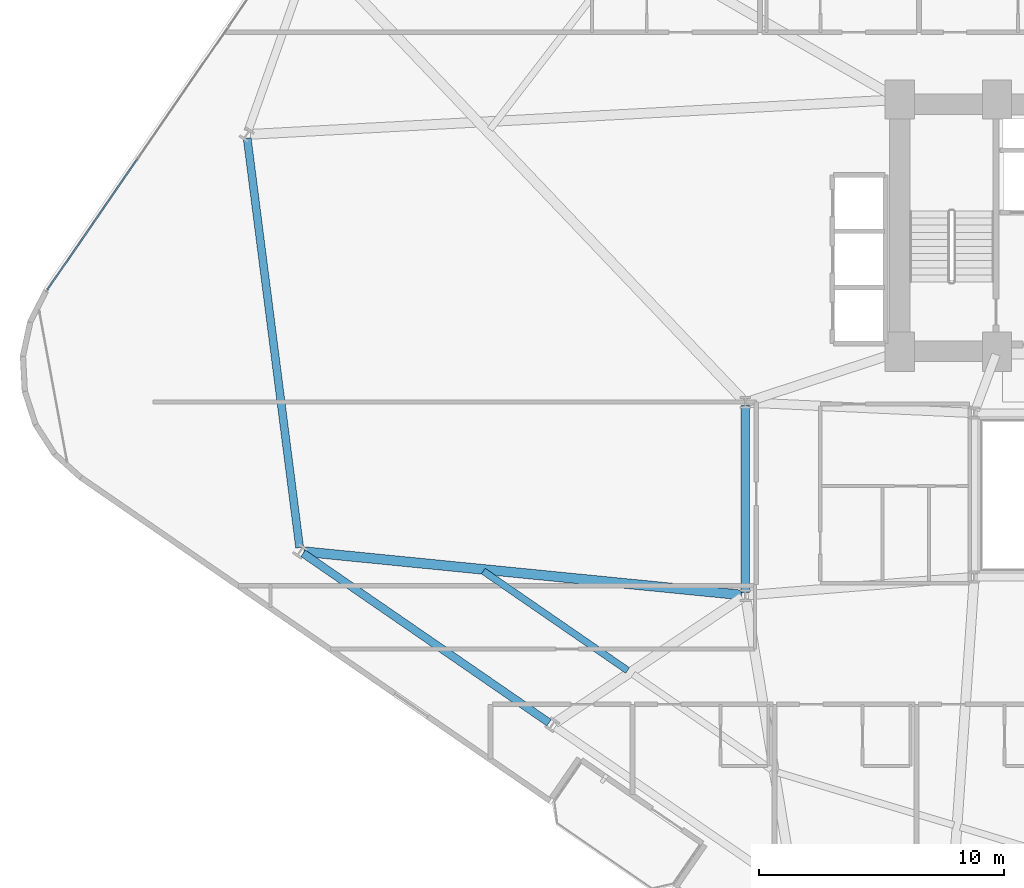
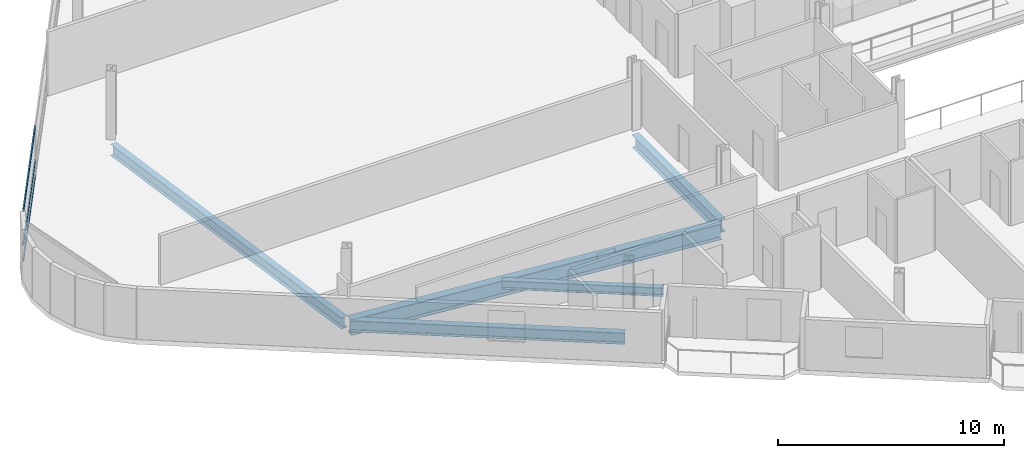
# One storey, part 5 of 27: 5 beams, 3 members, 1 element without a shape of its own.
"""IFC4 building model written with IfcOpenShell, lengths in metres."""

from ifc_helpers import new_model, si_unit, direction, frame, origin, origin_2d, place, context, subcontext, project, spatial, hollow_rectangle, i_section, extrude, material, layer, layer_set, material_profile, profile_set, type_object, element, aggregate, save


model = new_model("IFC4")

# Units and contexts
model_context = context("Model", 3, precision=1e-05, world=origin(), true_north=direction((0.0, 1.0)))
body_context = subcontext(model_context, "Body", "Model", "MODEL_VIEW")
ifc_project = project(units=[si_unit("LENGTHUNIT", "METRE"), si_unit("AREAUNIT", "SQUARE_METRE"), si_unit("VOLUMEUNIT", "CUBIC_METRE"), si_unit("PLANEANGLEUNIT", "RADIAN"), si_unit("MASSUNIT", "GRAM", prefix="KILO")], contexts=[model_context])

# Site, building, storey
site_placement = place(None, origin())
site = spatial("IfcSite", under=ifc_project, at=site_placement, CompositionType="ELEMENT")
building_placement = place(site_placement, origin())
building = spatial("IfcBuilding", under=site, at=building_placement, Name="Varnelok Gate Tower", CompositionType="ELEMENT")
storey_placement = place(building_placement, frame((0.0, 0.0, 60.300048828125)))
storey = spatial("IfcBuildingStorey", under=building, at=storey_placement, Name="L14", CompositionType="ELEMENT", Elevation=60.300048828125)

# Beams
ifc_material_1 = material(Name="Structural Steel ASTM A992 Grade 50", Category="steel")
ifc_material_profile_1 = material_profile(ifc_material_1, i_section(OverallWidth=0.280029296875, OverallDepth=0.462890625, WebThickness=0.0107421875, FlangeThickness=0.017333984375, FilletRadius=0.014892578125, at=origin_2d()), Name="W18X76")
ifc_profile_set_1 = profile_set([ifc_material_profile_1], Name="Structural Steel ASTM A992 Grade 50")
beam_type_1 = type_object("IfcBeamType", Name="BM-JST-W18X76", PredefinedType="JOIST", material=ifc_profile_set_1)
beam_1_placement = place(storey_placement, frame((13.69482421875, 19.793212890625, -0.4814453125), z_axis=(0.823532034116, -0.567269767205, 0.0), x_axis=(0.567269767205, 0.823532034116, 0.0)))
element("IfcBeam", 1, at=beam_1_placement, inside=storey, type_object=beam_type_1, Name="L14 Sector Floor Joist 1", PredefinedType="JOIST", context=body_context, shape_type="SweptSolid", body=[
    extrude(i_section(OverallWidth=0.280029296875, OverallDepth=0.462890625, WebThickness=0.0107421875, FlangeThickness=0.017333984375, FilletRadius=0.014892578125, at=origin_2d()), origin(), (0.0, 0.0, 1.0), 7.15771484375),
])
ifc_material_profile_2 = material_profile(ifc_material_1, i_section(OverallWidth=0.35498046875, OverallDepth=0.696044921875, WebThickness=0.015380859375, FlangeThickness=0.02490234375, FilletRadius=0.02001953125, at=origin_2d()), Name="W27X146")
ifc_profile_set_2 = profile_set([ifc_material_profile_2], Name="Structural Steel ASTM A992 Grade 50")
beam_type_2 = type_object("IfcBeamType", Name="BM-PRI-W27X146", PredefinedType="BEAM", material=ifc_profile_set_2)
beam_2_placement = place(storey_placement, frame((24.39990234375, 18.919921875, -0.59814453125), z_axis=(0.0, 1.0, 0.0), x_axis=(-1.0, 0.0, 0.0)))
element("IfcBeam", 2, at=beam_2_placement, inside=storey, type_object=beam_type_2, Name="L14 Core-Atrium Spine Beam 16", PredefinedType="BEAM", context=body_context, shape_type="SweptSolid", body=[
    extrude(i_section(OverallWidth=0.35498046875, OverallDepth=0.696044921875, WebThickness=0.015380859375, FlangeThickness=0.02490234375, FilletRadius=0.02001953125, at=origin_2d()), origin(), (0.0, 0.0, 1.0), 7.64013671875),
])
ifc_material_profile_3 = material_profile(ifc_material_1, i_section(OverallWidth=0.39892578125, OverallDepth=0.85498046875, WebThickness=0.018310546875, FlangeThickness=0.029296875, FilletRadius=0.02392578125, at=origin_2d()), Name="W33X201")
ifc_profile_set_3 = profile_set([ifc_material_profile_3], Name="Structural Steel ASTM A992 Grade 50")
beam_type_3 = type_object("IfcBeamType", Name="BM-PRI-W33X201", PredefinedType="BEAM", material=ifc_profile_set_3)
beam_3_placement = place(storey_placement, frame((24.250732421875, 18.814697265625, -0.677490234375), z_axis=(-0.995122218733, 0.098649732815, 0.0), x_axis=(-0.098649732815, -0.995122218733, 0.0)))
element("IfcBeam", 3, at=beam_3_placement, inside=storey, type_object=beam_type_3, Name="L14 Radial Floor Girder 1", PredefinedType="BEAM", context=body_context, shape_type="SweptSolid", body=[
    extrude(i_section(OverallWidth=0.39892578125, OverallDepth=0.85498046875, WebThickness=0.018310546875, FlangeThickness=0.029296875, FilletRadius=0.02392578125, at=origin_2d()), origin(), (0.0, 0.0, 1.0), 17.974609375),
])
ifc_material_profile_4 = material_profile(ifc_material_1, i_section(OverallWidth=0.323974609375, OverallDepth=0.611083984375, WebThickness=0.0126953125, FlangeThickness=0.01904296875, FilletRadius=0.01806640625, at=origin_2d()), Name="W24X104")
ifc_profile_set_4 = profile_set([ifc_material_profile_4], Name="Structural Steel ASTM A992 Grade 50")
beam_type_4 = type_object("IfcBeamType", Name="BM-SPN-W24X104", PredefinedType="SPANDREL", material=ifc_profile_set_4)
beam_4_placement = place(storey_placement, frame((6.337890625, 20.517578125, -0.5556640625), z_axis=(0.823540632156, -0.567257284826, 0.0), x_axis=(0.567257284826, 0.823540632156, 0.0)))
element("IfcBeam", 4, at=beam_4_placement, inside=storey, type_object=beam_type_4, Name="L14 Perimeter Spandrel Beam 1", PredefinedType="SPANDREL", context=body_context, shape_type="SweptSolid", body=[
    extrude(i_section(OverallWidth=0.323974609375, OverallDepth=0.611083984375, WebThickness=0.0126953125, FlangeThickness=0.01904296875, FilletRadius=0.01806640625, at=origin_2d()), origin(), (0.0, 0.0, 1.0), 12.2001953125),
])
beam_5_placement = place(storey_placement, frame((4.05224609375, 37.47509765625, -0.5556640625), z_axis=(0.127106601297, -0.991889062298, 0.0), x_axis=(0.991889062298, 0.127106601297, 0.0)))
element("IfcBeam", 5, at=beam_5_placement, inside=storey, type_object=beam_type_4, Name="L14 Perimeter Spandrel Beam 16", PredefinedType="SPANDREL", context=body_context, shape_type="SweptSolid", body=[
    extrude(i_section(OverallWidth=0.323974609375, OverallDepth=0.611083984375, WebThickness=0.0126953125, FlangeThickness=0.01904296875, FilletRadius=0.01806640625, at=origin_2d()), origin(), (0.0, 0.0, 1.0), 16.8603515625),
])

# Curtain wall, members
ifc_material_2 = material(Name="Anodized Aluminum Alloy 6063-T6", Category="aluminium")
ifc_layer = layer(ifc_material_2, 0.179931640625)
ifc_layer_set = layer_set([ifc_layer], Name="Anodized Aluminum Alloy 6063-T6")
curtain_wall_type = type_object("IfcCurtainWallType", Name="CW3-HOTEL-VISION", PredefinedType="USERDEFINED", material=ifc_layer_set)
curtain_wall_placement = place(storey_placement, origin())
curtain_wall = element("IfcCurtainWall", 6, at=curtain_wall_placement, inside=storey, type_object=curtain_wall_type, Name="L14 West End Vision Curtain Wall", ObjectType="UNITISED CURTAIN WALL", PredefinedType="USERDEFINED")
ifc_material_profile_5 = material_profile(ifc_material_2, hollow_rectangle(XDim=0.06494140625, YDim=0.159912109375, WallThickness=0.00390625, at=origin_2d()), Name="ALU160X65X4")
ifc_profile_set_5 = profile_set([ifc_material_profile_5], Name="Anodized Aluminum Alloy 6063-T6")
member_type = type_object("IfcMemberType", Name="CW-TRAN-160", PredefinedType="USERDEFINED", material=ifc_profile_set_5)
member_1_placement = place(storey_placement, frame((-4.10546875, 31.287353515625, 0.032470703125), z_axis=(0.567255754851, 0.823541686006, 0.0), x_axis=(-0.823541686006, 0.567255754851, 0.0)))
member_1 = element("IfcMember", 7, at=member_1_placement, type_object=member_type, Name="CW3 transom 1.1", ObjectType="TRANSOM", PredefinedType="USERDEFINED", context=body_context, shape_type="SweptSolid", body=[
    extrude(hollow_rectangle(XDim=0.06494140625, YDim=0.159912109375, WallThickness=0.00390625, at=origin_2d()), origin(), (0.0, 0.0, 1.0), 6.46923828125),
])
member_2_placement = place(storey_placement, frame((-4.10546875, 31.287353515625, 0.89990234375), z_axis=(0.567255754851, 0.823541686006, 0.0), x_axis=(-0.823541686006, 0.567255754851, 0.0)))
member_2 = element("IfcMember", 8, at=member_2_placement, type_object=member_type, Name="CW3 transom 1.2", ObjectType="TRANSOM", PredefinedType="USERDEFINED", context=body_context, shape_type="SweptSolid", body=[
    extrude(hollow_rectangle(XDim=0.06494140625, YDim=0.159912109375, WallThickness=0.00390625, at=origin_2d()), origin(), (0.0, 0.0, 1.0), 6.46923828125),
])
member_3_placement = place(storey_placement, frame((-4.10546875, 31.287353515625, 2.697509765625), z_axis=(0.567255754851, 0.823541686006, 0.0), x_axis=(-0.823541686006, 0.567255754851, 0.0)))
member_3 = element("IfcMember", 9, at=member_3_placement, type_object=member_type, Name="CW3 transom 1.3", ObjectType="TRANSOM", PredefinedType="USERDEFINED", context=body_context, shape_type="SweptSolid", body=[
    extrude(hollow_rectangle(XDim=0.06494140625, YDim=0.159912109375, WallThickness=0.00390625, at=origin_2d()), origin(), (0.0, 0.0, 1.0), 6.46923828125),
])
aggregate(curtain_wall, [member_1, member_2, member_3])

save(model, "model.ifc")
